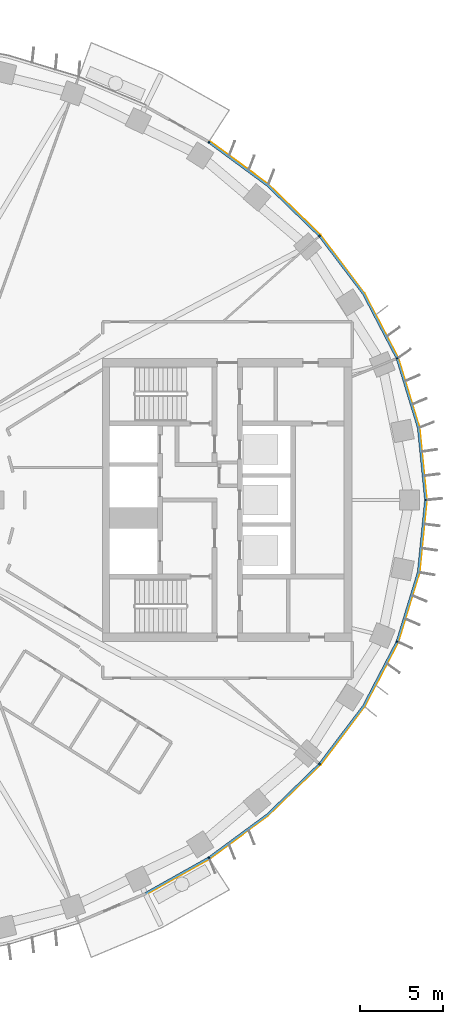
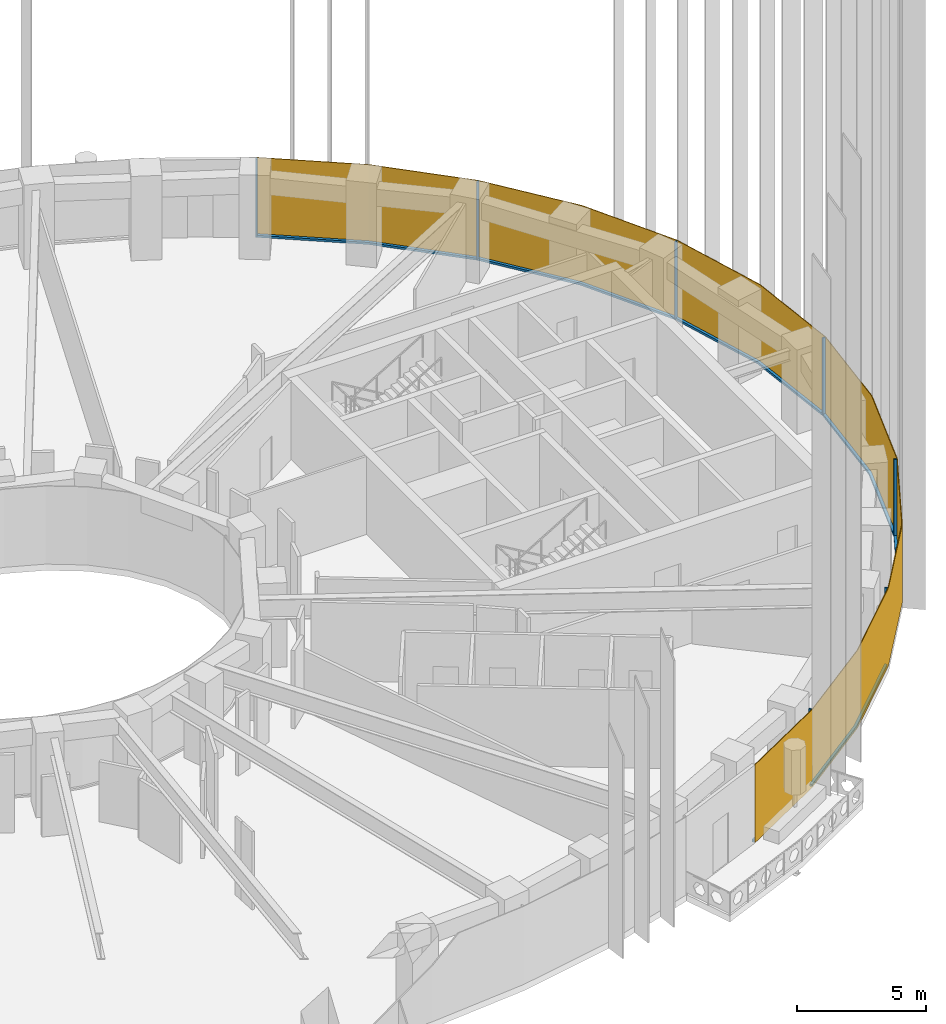
# One storey, part 11 of 19: 14 members, 1 curtain wall.
"""IFC4 building model written with IfcOpenShell, lengths in metres."""

from ifc_helpers import new_model, si_unit, direction, frame, origin, origin_2d, place, context, subcontext, project, spatial, polyline, rectangle, outline, extrude, material, layer, layer_set, material_profile, profile_set, type_object, element, aggregate, save


model = new_model("IFC4")

# Units and contexts
model_context = context("Model", 3, precision=1e-05, world=origin(), true_north=direction((0.0, 1.0)))
body_context = subcontext(model_context, "Body", "Model", "MODEL_VIEW")
ifc_project = project(units=[si_unit("LENGTHUNIT", "METRE"), si_unit("AREAUNIT", "SQUARE_METRE"), si_unit("VOLUMEUNIT", "CUBIC_METRE"), si_unit("PLANEANGLEUNIT", "RADIAN"), si_unit("MASSUNIT", "GRAM", prefix="KILO")], contexts=[model_context])

# Member
ifc_material_1 = material(Name="Aluminium 6063-T6 black anodised", Category="aluminium")
ifc_material_profile = material_profile(ifc_material_1, rectangle(XDim=0.1201171875, YDim=0.06005859375, at=origin_2d()), Name="120x60")
ifc_profile_set = profile_set([ifc_material_profile], Name="Aluminium 6063-T6 black anodised")
member_type_1 = type_object("IfcMemberType", Name="ENV-MULLION-A-120", PredefinedType="MULLION", material=ifc_profile_set)
site_placement = place(None, origin())
building_placement = place(site_placement, origin())
storey_placement = place(building_placement, frame((0.0, 0.0, 146.0)))
member_1_placement = place(storey_placement, frame((22.882568359375, -21.506591796875, 0.0), z_axis=(0.0, 0.0, 1.0), x_axis=(-0.542279153225, 0.840198381323, 0.0)))
member_1 = element("IfcMember", 1, at=member_1_placement, type_object=member_type_1, Name="Mullion A radial 41", PredefinedType="MULLION", context=body_context, shape_type="SweptSolid", body=[
    extrude(rectangle(XDim=0.1201171875, YDim=0.06005859375, at=origin_2d()), origin(), (0.0, 0.0, 1.0), 3.699951171875),
])

member_2_placement = place(storey_placement, frame((29.53857421875, -15.8671875, 0.0), z_axis=(0.0, 0.0, 1.0), x_axis=(-0.749047221705, 0.662516610853, 0.0)))
member_2 = element("IfcMember", 2, at=member_2_placement, type_object=member_type_1, Name="Mullion A radial 43", PredefinedType="MULLION", context=body_context, shape_type="SweptSolid", body=[
    extrude(rectangle(XDim=0.1201171875, YDim=0.06005859375, at=origin_2d()), origin(), (0.0, 0.0, 1.0), 3.699951171875),
])

member_3_placement = place(storey_placement, frame((34.19580078125, -8.513916015625, 0.0), z_axis=(0.0, 0.0, 1.0), x_axis=(-0.92546738067, 0.378827305398, 0.0)))
member_3 = element("IfcMember", 3, at=member_3_placement, type_object=member_type_1, Name="Mullion A radial 45", PredefinedType="MULLION", context=body_context, shape_type="SweptSolid", body=[
    extrude(rectangle(XDim=0.1201171875, YDim=0.06005859375, at=origin_2d()), origin(), (0.0, 0.0, 1.0), 3.699951171875),
])

member_4_placement = place(storey_placement, frame((35.907958984375, 0.0, 0.0), z_axis=(0.0, 0.0, 1.0), x_axis=(-1.0, 0.0, 0.0)))
member_4 = element("IfcMember", 4, at=member_4_placement, type_object=member_type_1, Name="Mullion A radial 01", PredefinedType="MULLION", context=body_context, shape_type="SweptSolid", body=[
    extrude(rectangle(XDim=0.1201171875, YDim=0.06005859375, at=origin_2d()), origin(), (0.0, 0.0, 1.0), 3.699951171875),
])

member_5_placement = place(storey_placement, frame((34.19580078125, 8.513916015625, 0.0), z_axis=(0.0, 0.0, 1.0), x_axis=(-0.92546738067, -0.378827305398, 0.0)))
member_5 = element("IfcMember", 5, at=member_5_placement, type_object=member_type_1, Name="Mullion A radial 03", PredefinedType="MULLION", context=body_context, shape_type="SweptSolid", body=[
    extrude(rectangle(XDim=0.1201171875, YDim=0.06005859375, at=origin_2d()), origin(), (0.0, 0.0, 1.0), 3.699951171875),
])

member_6_placement = place(storey_placement, frame((29.53857421875, 15.8671875, 0.0), z_axis=(0.0, 0.0, 1.0), x_axis=(-0.749047221705, -0.662516610853, 0.0)))
member_6 = element("IfcMember", 6, at=member_6_placement, type_object=member_type_1, Name="Mullion A radial 05", PredefinedType="MULLION", context=body_context, shape_type="SweptSolid", body=[
    extrude(rectangle(XDim=0.1201171875, YDim=0.06005859375, at=origin_2d()), origin(), (0.0, 0.0, 1.0), 3.699951171875),
])

member_7_placement = place(storey_placement, frame((22.882568359375, 21.506591796875, 0.0), z_axis=(0.0, 0.0, 1.0), x_axis=(-0.542279153225, -0.840198381323, 0.0)))
member_7 = element("IfcMember", 7, at=member_7_placement, type_object=member_type_1, Name="Mullion A radial 07", PredefinedType="MULLION", context=body_context, shape_type="SweptSolid", body=[
    extrude(rectangle(XDim=0.1201171875, YDim=0.06005859375, at=origin_2d()), origin(), (0.0, 0.0, 1.0), 3.699951171875),
])

ifc_material_2 = material(Name="Aluminium 6063-T6 black anodised", Category="aluminium")
member_type_2 = type_object("IfcMemberType", Name="ENV-TRANSOM-A", PredefinedType="USERDEFINED", material=ifc_material_2)
member_8_placement = place(storey_placement, origin())
member_8 = element("IfcMember", 8, at=member_8_placement, type_object=member_type_2, Name="Transom A radial 40-41", ObjectType="TRANSOM", PredefinedType="USERDEFINED", context=body_context, shape_type="SweptSolid", body=[
    extrude(outline(polyline([(19.111572265625, -23.691650390625), (22.890625, -21.570556640625), (22.825439453125, -21.469482421875), (19.058837890625, -23.58349609375), (19.111572265625, -23.691650390625)])), origin(), (0.0, 0.0, 1.0), 0.10009765625),
])

member_9_placement = place(storey_placement, origin())
member_9 = element("IfcMember", 9, at=member_9_placement, type_object=member_type_2, Name="Transom A radial 41-43", ObjectType="TRANSOM", PredefinedType="USERDEFINED", context=body_context, shape_type="SweptSolid", body=[
    extrude(outline(polyline([(22.937744140625, -21.540283203125), (26.4423828125, -18.958740234375), (29.5634765625, -15.926513671875), (29.473388671875, -15.8466796875), (26.364501953125, -18.866943359375), (22.87255859375, -21.439208984375), (22.937744140625, -21.540283203125)])), origin(), (0.0, 0.0, 1.0), 0.10009765625),
])

member_10_placement = place(storey_placement, origin())
member_10 = element("IfcMember", 10, at=member_10_placement, type_object=member_type_2, Name="Transom A radial 43-45", ObjectType="TRANSOM", PredefinedType="USERDEFINED", context=body_context, shape_type="SweptSolid", body=[
    extrude(outline(polyline([(29.6005859375, -15.884521484375), (32.22802734375, -12.41748046875), (34.23828125, -8.5615234375), (34.126708984375, -8.515869140625), (32.126220703125, -12.35302734375), (29.51025390625, -15.8046875), (29.6005859375, -15.884521484375)])), origin(), (0.0, 0.0, 1.0), 0.10009765625),
])

member_11_placement = place(storey_placement, origin())
member_11 = element("IfcMember", 11, at=member_11_placement, type_object=member_type_2, Name="Transom A radial 45-01", ObjectType="TRANSOM", PredefinedType="USERDEFINED", context=body_context, shape_type="SweptSolid", body=[
    extrude(outline(polyline([(34.259521484375, -8.509765625), (35.529541015625, -4.352294921875), (35.965087890625, -0.02783203125), (35.844482421875, -0.02783203125), (35.411376953125, -4.32861328125), (34.14794921875, -8.464111328125), (34.259521484375, -8.509765625)])), origin(), (0.0, 0.0, 1.0), 0.10009765625),
])

member_12_placement = place(storey_placement, origin())
member_12 = element("IfcMember", 12, at=member_12_placement, type_object=member_type_2, Name="Transom A radial 01-03", ObjectType="TRANSOM", PredefinedType="USERDEFINED", context=body_context, shape_type="SweptSolid", body=[
    extrude(outline(polyline([(35.965087890625, 0.02783203125), (35.529541015625, 4.352294921875), (34.259521484375, 8.509765625), (34.14794921875, 8.464111328125), (35.411376953125, 4.32861328125), (35.844482421875, 0.02783203125), (35.965087890625, 0.02783203125)])), origin(), (0.0, 0.0, 1.0), 0.10009765625),
])

member_13_placement = place(storey_placement, origin())
member_13 = element("IfcMember", 13, at=member_13_placement, type_object=member_type_2, Name="Transom A radial 03-05", ObjectType="TRANSOM", PredefinedType="USERDEFINED", context=body_context, shape_type="SweptSolid", body=[
    extrude(outline(polyline([(34.23828125, 8.5615234375), (32.22802734375, 12.41748046875), (29.6005859375, 15.884521484375), (29.51025390625, 15.8046875), (32.126220703125, 12.35302734375), (34.126708984375, 8.515869140625), (34.23828125, 8.5615234375)])), origin(), (0.0, 0.0, 1.0), 0.10009765625),
])

member_14_placement = place(storey_placement, origin())
member_14 = element("IfcMember", 14, at=member_14_placement, type_object=member_type_2, Name="Transom A radial 05-07", ObjectType="TRANSOM", PredefinedType="USERDEFINED", context=body_context, shape_type="SweptSolid", body=[
    extrude(outline(polyline([(29.5634765625, 15.926513671875), (26.4423828125, 18.958740234375), (22.937744140625, 21.540283203125), (22.87255859375, 21.439208984375), (26.364501953125, 18.866943359375), (29.473388671875, 15.8466796875), (29.5634765625, 15.926513671875)])), origin(), (0.0, 0.0, 1.0), 0.10009765625),
])

# Site, building, storey
site = spatial("IfcSite", under=ifc_project, at=site_placement, CompositionType="ELEMENT")
building = spatial("IfcBuilding", under=site, at=building_placement, Name="Noorbagh Ring Tower", CompositionType="ELEMENT")
storey = spatial("IfcBuildingStorey", under=building, at=storey_placement, Name="L33", CompositionType="ELEMENT", Elevation=146.0)

# Curtain wall
ifc_material_3 = material(Name="Glass dark tinted laminated", Category="glass")
ifc_layer = layer(ifc_material_3, 0.031982421875)
ifc_layer_set = layer_set([ifc_layer], Name="Glass dark tinted laminated")
curtain_wall_type = type_object("IfcCurtainWallType", Name="ENV-CW-A", PredefinedType="NOTDEFINED", material=ifc_layer_set)
curtain_wall_placement = place(storey_placement, origin())
curtain_wall = element("IfcCurtainWall", 15, at=curtain_wall_placement, inside=storey, type_object=curtain_wall_type, Name="Curtain wall A R40", PredefinedType="NOTDEFINED", context=body_context, shape_type="SweptSolid", body=[
    extrude(outline(polyline([(19.125732421875, -23.720458984375), (22.9326171875, -21.583740234375), (26.463134765625, -18.9833984375), (29.607666015625, -15.927978515625), (32.255126953125, -12.434814453125), (34.281005859375, -8.548828125), (35.561279296875, -4.358642578125), (36.0, 0.0), (35.561279296875, 4.358642578125), (34.281005859375, 8.548828125), (32.255126953125, 12.434814453125), (29.607666015625, 15.927978515625), (26.463134765625, 18.9833984375), (22.948486328125, 21.572021484375), (22.931396484375, 21.544921875), (26.4423828125, 18.958740234375), (29.58349609375, 15.906982421875), (32.22802734375, 12.41748046875), (34.251220703125, 8.53662109375), (35.529541015625, 4.352294921875), (35.9677734375, 0.0), (35.529541015625, -4.352294921875), (34.251220703125, -8.53662109375), (32.22802734375, -12.41748046875), (29.58349609375, -15.906982421875), (26.4423828125, -18.958740234375), (22.9150390625, -21.556884765625), (19.111572265625, -23.691650390625), (19.125732421875, -23.720458984375)])), origin(), (0.0, 0.0, 1.0), 3.699951171875),
])

aggregate(curtain_wall, [member_1, member_2, member_3, member_4, member_5, member_6, member_7, member_8, member_9, member_10, member_11, member_12, member_13, member_14])

save(model, "model.ifc")
